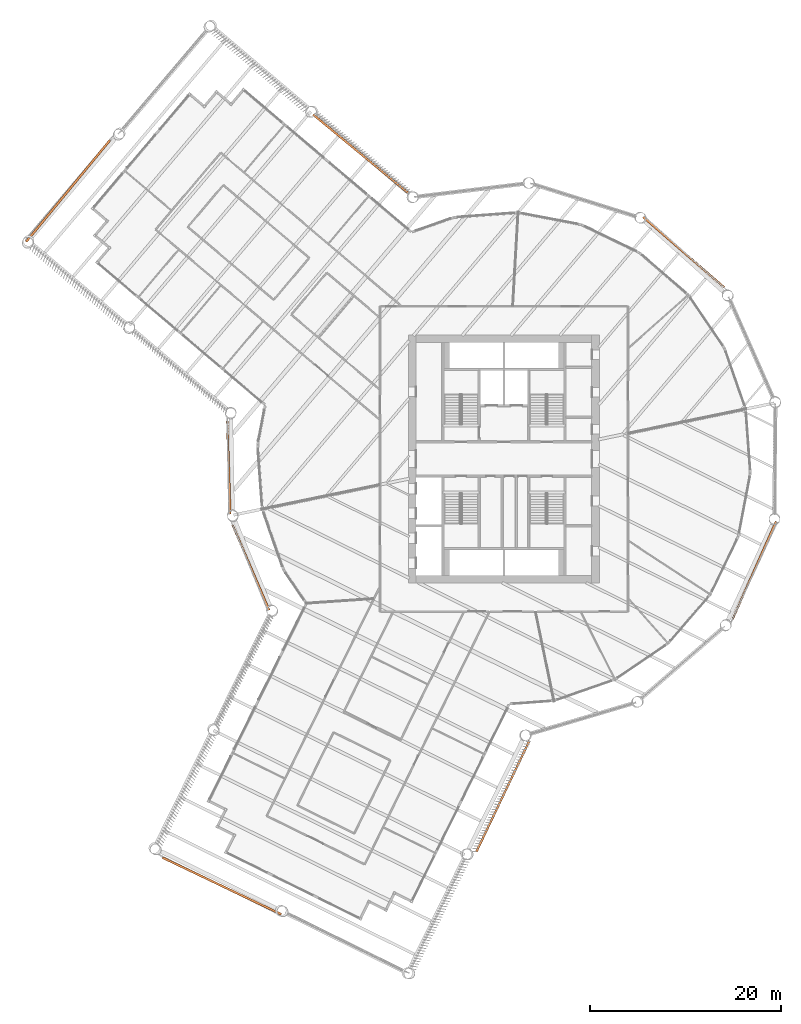
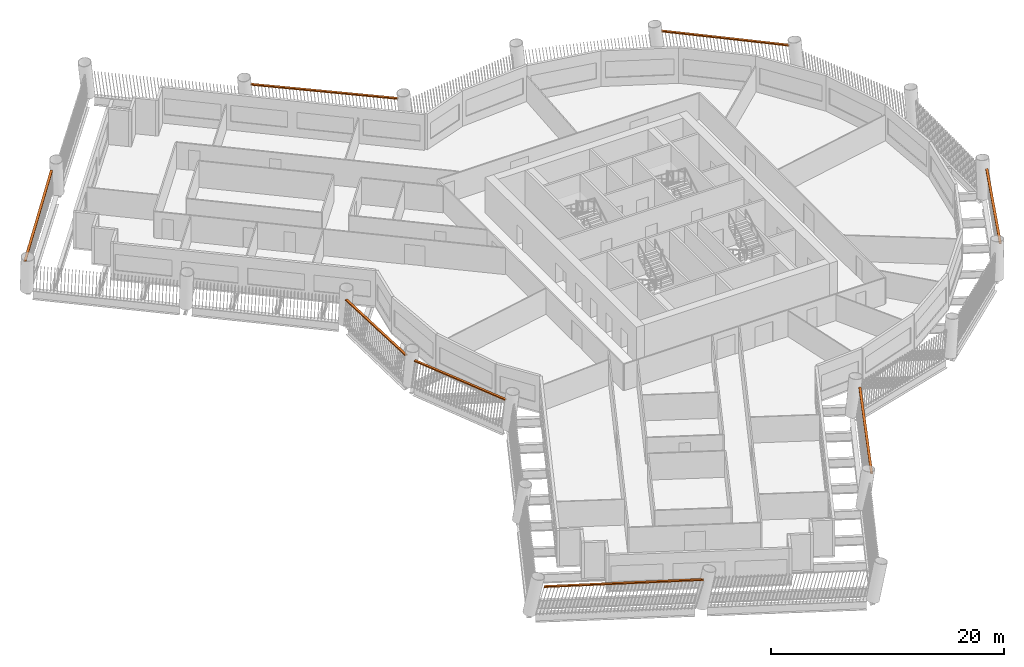
# One storey, part 16 of 16: 8 proxies.
"""IFC4 building model written with IfcOpenShell, lengths in metres."""

from ifc_helpers import new_model, si_unit, direction, frame, origin, origin_2d, place, context, subcontext, project, spatial, rectangle, extrude, material, type_object, element, save


model = new_model("IFC4")

# Units and contexts
model_context = context("Model", 3, precision=1e-05, world=origin(), true_north=direction((0.0, 1.0)))
body_context = subcontext(model_context, "Body", "Model", "MODEL_VIEW")
ifc_project = project(units=[si_unit("LENGTHUNIT", "METRE"), si_unit("AREAUNIT", "SQUARE_METRE"), si_unit("VOLUMEUNIT", "CUBIC_METRE"), si_unit("PLANEANGLEUNIT", "RADIAN"), si_unit("MASSUNIT", "GRAM", prefix="KILO")], contexts=[model_context])

# Site, building, storey
site_placement = place(None, origin())
site = spatial("IfcSite", under=ifc_project, at=site_placement, CompositionType="ELEMENT")
building_placement = place(site_placement, origin())
building = spatial("IfcBuilding", under=site, at=building_placement, Name="Tarsis Ring Headquarters", CompositionType="ELEMENT")
storey_placement = place(building_placement, frame((0.0, 0.0, 104.5)))
storey = spatial("IfcBuildingStorey", under=building, at=storey_placement, Name="L23", CompositionType="ELEMENT", Elevation=104.5)

# Proxies
ifc_material = material(Name="Structural steel S355", Category="steel")
building_element_proxy_type = type_object("IfcBuildingElementProxyType", Name="Screen bracket plate", PredefinedType="USERDEFINED", material=ifc_material)
proxy_1_placement = place(storey_placement, frame((-26.541015625, -11.356201171875, 2.95263671875), z_axis=(0.0, 0.0, 1.0), x_axis=(0.39338006342, -0.919375943618, 0.0)))
element("IfcBuildingElementProxy", 1, at=proxy_1_placement, inside=storey, type_object=building_element_proxy_type, Name="Screen bracket L23-00", ObjectType="Bracket", PredefinedType="USERDEFINED", context=body_context, shape_type="SweptSolid", body=[
    extrude(rectangle(XDim=9.771728515625, YDim=0.222900390625, at=origin_2d()), origin(), (0.0, 0.0, 1.0), 0.1201171875),
])
proxy_2_placement = place(storey_placement, frame((-29.56494140625, -44.75244140625, 2.95263671875), z_axis=(0.0, 0.0, 1.0), x_axis=(0.902434945123, -0.430826148024, 0.0)))
element("IfcBuildingElementProxy", 2, at=proxy_2_placement, inside=storey, type_object=building_element_proxy_type, Name="Screen bracket L23-03", ObjectType="Bracket", PredefinedType="USERDEFINED", context=body_context, shape_type="SweptSolid", body=[
    extrude(rectangle(XDim=13.800048828125, YDim=0.222900390625, at=origin_2d()), origin(), (0.0, 0.0, 1.0), 0.1201171875),
])
proxy_3_placement = place(storey_placement, frame((-0.115478515625, -35.345458984375, 2.95263671875), z_axis=(0.0, 0.0, 1.0), x_axis=(0.430826179525, 0.902434930084, 0.0)))
element("IfcBuildingElementProxy", 3, at=proxy_3_placement, inside=storey, type_object=building_element_proxy_type, Name="Screen bracket L23-06", ObjectType="Bracket", PredefinedType="USERDEFINED", context=body_context, shape_type="SweptSolid", body=[
    extrude(rectangle(XDim=12.90234375, YDim=0.222900390625, at=origin_2d()), origin(), (0.0, 0.0, 1.0), 0.1201171875),
])
for number, where, z_axis, x_axis, name in (
    (4, (26.229248046875, -11.696533203125, 2.95263671875), (0.0, 0.0, 1.0), (0.407274551712, 0.913305775481, 0.0), "Screen bracket L23-09"),
    (5, (18.84375, 21.672607421875, 2.95263671875), (0.0, 0.0, 1.0), (-0.754637930632, 0.656141443328, 0.0), "Screen bracket L23-12"),
):
    element("IfcBuildingElementProxy", number, at=place(storey_placement, frame(where, z_axis=z_axis, x_axis=x_axis)), inside=storey, type_object=building_element_proxy_type, Name=name, ObjectType="Bracket", PredefinedType="USERDEFINED", context=body_context, shape_type="SweptSolid", body=[
        extrude(rectangle(XDim=11.248779296875, YDim=0.222900390625, at=origin_2d()), origin(), (0.0, 0.0, 1.0), 0.1201171875),
    ])
proxy_4_placement = place(storey_placement, frame((-15.019775390625, 31.99560546875, 2.95263671875), z_axis=(0.0, 0.0, 1.0), x_axis=(-0.771402558729, 0.636347461994, 0.0)))
element("IfcBuildingElementProxy", 6, at=proxy_4_placement, inside=storey, type_object=building_element_proxy_type, Name="Screen bracket L23-15", ObjectType="Bracket", PredefinedType="USERDEFINED", context=body_context, shape_type="SweptSolid", body=[
    extrude(rectangle(XDim=12.90234375, YDim=0.222900390625, at=origin_2d()), origin(), (0.0, 0.0, 1.0), 0.1201171875),
])
proxy_5_placement = place(storey_placement, frame((-45.688720703125, 28.0966796875, 2.95263671875), z_axis=(0.0, 0.0, 1.0), x_axis=(-0.636347556239, -0.771402480985, 0.0)))
element("IfcBuildingElementProxy", 7, at=proxy_5_placement, inside=storey, type_object=building_element_proxy_type, Name="Screen bracket L23-18", ObjectType="Bracket", PredefinedType="USERDEFINED", context=body_context, shape_type="SweptSolid", body=[
    extrude(rectangle(XDim=13.800048828125, YDim=0.222900390625, at=origin_2d()), origin(), (0.0, 0.0, 1.0), 0.1201171875),
])
proxy_6_placement = place(storey_placement, frame((-28.854248046875, -0.904296875, 2.95263671875), z_axis=(0.0, 0.0, 1.0), x_axis=(0.031323884451, -0.999509286732, 0.0)))
element("IfcBuildingElementProxy", 8, at=proxy_6_placement, inside=storey, type_object=building_element_proxy_type, Name="Screen bracket L23-21", ObjectType="Bracket", PredefinedType="USERDEFINED", context=body_context, shape_type="SweptSolid", body=[
    extrude(rectangle(XDim=9.771728515625, YDim=0.222900390625, at=origin_2d()), origin(), (0.0, 0.0, 1.0), 0.1201171875),
])

save(model, "model.ifc")
